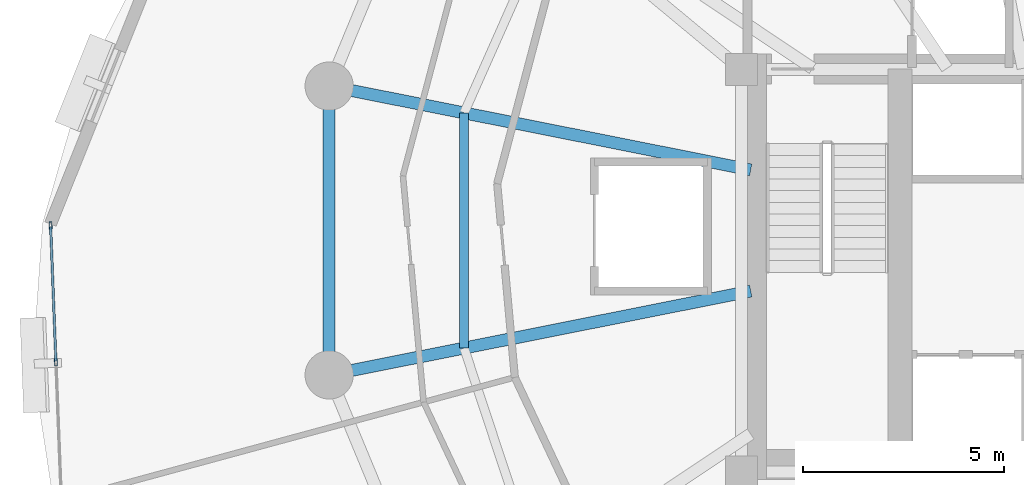
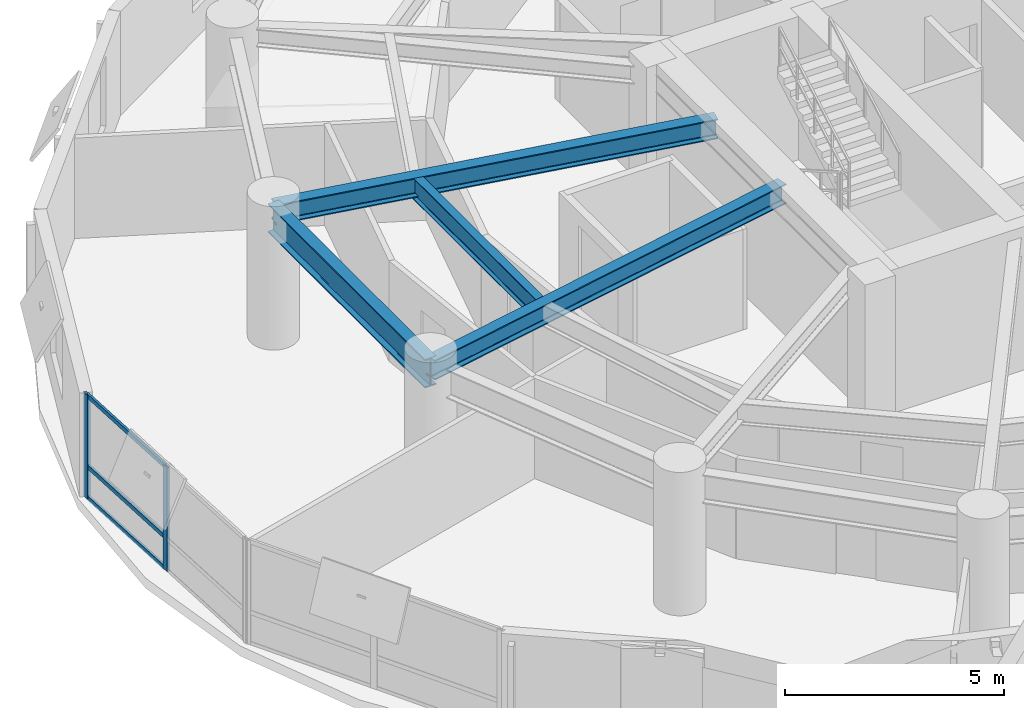
# One storey, part 4 of 15: 5 members, 4 beams, 1 element without a shape of its own.
"""IFC4 building model written with IfcOpenShell, lengths in metres."""

from ifc_helpers import new_model, si_unit, direction, frame, origin, origin_2d, place, context, subcontext, project, spatial, hollow_rectangle, i_section, extrude, material, layer, layer_set, material_profile, profile_set, type_object, element, aggregate, save


model = new_model("IFC4")

# Units and contexts
model_context = context("Model", 3, precision=1e-05, world=origin(), true_north=direction((0.0, 1.0)))
body_context = subcontext(model_context, "Body", "Model", "MODEL_VIEW")
ifc_project = project(units=[si_unit("LENGTHUNIT", "METRE"), si_unit("AREAUNIT", "SQUARE_METRE"), si_unit("VOLUMEUNIT", "CUBIC_METRE"), si_unit("PLANEANGLEUNIT", "RADIAN"), si_unit("MASSUNIT", "GRAM", prefix="KILO"), si_unit("THERMODYNAMICTEMPERATUREUNIT", "KELVIN"), si_unit("POWERUNIT", "WATT")], contexts=[model_context])

# Site, building, storey
site_placement = place(None, origin())
site = spatial("IfcSite", under=ifc_project, at=site_placement, CompositionType="ELEMENT")
building_placement = place(site_placement, origin())
building = spatial("IfcBuilding", under=site, at=building_placement, Name="Ocrelia Relay Tower", CompositionType="ELEMENT")
storey_placement = place(building_placement, frame((0.0, 0.0, 97.800048828125)))
storey = spatial("IfcBuildingStorey", under=building, at=storey_placement, Name="L22", CompositionType="ELEMENT", Elevation=97.800048828125)

# Beams
ifc_material_1 = material(Name="Steel S355", Category="steel")
ifc_material_profile_1 = material_profile(ifc_material_1, i_section(OverallWidth=0.300048828125, OverallDepth=0.550048828125, WebThickness=0.014892578125, FlangeThickness=0.029052734375, FilletRadius=0.027099609375, at=origin_2d()), Name="HEB 550")
ifc_profile_set_1 = profile_set([ifc_material_profile_1], Name="Steel S355")
beam_type_1 = type_object("IfcBeamType", Name="BM-HEB550", PredefinedType="BEAM", material=ifc_profile_set_1)
for number, where, z_axis, x_axis, name in (
    (1, (15.95361328125, 29.589599609375, 3.445068359375), (0.980787592082, -0.195078700063, 0.0), (0.195078700063, 0.980787592082, 0.0), "L22 Radial Floor Girder R08"),
    (2, (15.95361328125, 22.410400390625, 3.445068359375), (0.980787592082, 0.195078700063, 0.0), (-0.195078700063, 0.980787592082, 0.0), "L22 Radial Floor Girder R09"),
):
    element("IfcBeam", number, at=place(storey_placement, frame(where, z_axis=z_axis, x_axis=x_axis)), inside=storey, type_object=beam_type_1, Name=name, PredefinedType="BEAM", context=body_context, shape_type="SweptSolid", body=[
        extrude(i_section(OverallWidth=0.300048828125, OverallDepth=0.550048828125, WebThickness=0.014892578125, FlangeThickness=0.029052734375, FilletRadius=0.027099609375, at=origin_2d()), origin(), (0.0, 0.0, 1.0), 10.681640625),
    ])
ifc_material_profile_2 = material_profile(ifc_material_1, i_section(OverallWidth=0.300048828125, OverallDepth=0.800048828125, WebThickness=0.017578125, FlangeThickness=0.032958984375, FilletRadius=0.030029296875, at=origin_2d()), Name="HEB 800")
ifc_profile_set_2 = profile_set([ifc_material_profile_2], Name="Steel S355")
beam_type_2 = type_object("IfcBeamType", Name="BM-HEB800", PredefinedType="BEAM", material=ifc_profile_set_2)
beam_1_placement = place(storey_placement, frame((15.95361328125, 29.589599609375, 3.320068359375), z_axis=(0.0, -1.0, 0.0), x_axis=(1.0, 0.0, 0.0)))
element("IfcBeam", 3, at=beam_1_placement, inside=storey, type_object=beam_type_2, Name="L22 Perimeter Spandrel Beam S08", PredefinedType="BEAM", context=body_context, shape_type="SweptSolid", body=[
    extrude(i_section(OverallWidth=0.300048828125, OverallDepth=0.800048828125, WebThickness=0.017578125, FlangeThickness=0.032958984375, FilletRadius=0.030029296875, at=origin_2d()), origin(), (0.0, 0.0, 1.0), 7.17919921875),
])
ifc_material_profile_3 = material_profile(ifc_material_1, i_section(OverallWidth=0.219970703125, OverallDepth=0.60009765625, WebThickness=0.011962890625, FlangeThickness=0.01904296875, FilletRadius=0.02392578125, at=origin_2d()), Name="IPE 600")
ifc_profile_set_3 = profile_set([ifc_material_profile_3], Name="Steel S355")
beam_type_3 = type_object("IfcBeamType", Name="BM-IPE600", PredefinedType="JOIST", material=ifc_profile_set_3)
beam_2_placement = place(storey_placement, frame((19.305908203125, 28.9228515625, 3.419921875), z_axis=(0.0, -1.0, 0.0), x_axis=(1.0, 0.0, 0.0)))
element("IfcBeam", 4, at=beam_2_placement, inside=storey, type_object=beam_type_3, Name="L22 Secondary Floor Joist J08", PredefinedType="JOIST", context=body_context, shape_type="SweptSolid", body=[
    extrude(i_section(OverallWidth=0.219970703125, OverallDepth=0.60009765625, WebThickness=0.011962890625, FlangeThickness=0.01904296875, FilletRadius=0.02392578125, at=origin_2d()), origin(), (0.0, 0.0, 1.0), 5.845703125),
])

# Curtain wall, members
ifc_material_2 = material(Name="Aluminium and solar-control low-E glass", Category="aluminium")
ifc_layer = layer(ifc_material_2, 0.179931640625, Name="Aluminium and solar-control low-E glass")
ifc_layer_set = layer_set([ifc_layer], Name="Aluminium and solar-control low-E glass")
curtain_wall_type = type_object("IfcCurtainWallType", Name="CW-SYS-Z2-SWIT", PredefinedType="NOTDEFINED", material=ifc_layer_set)
curtain_wall_placement = place(storey_placement, origin())
curtain_wall = element("IfcCurtainWall", 5, at=curtain_wall_placement, inside=storey, type_object=curtain_wall_type, Name="L22 Elliptical Tower Curtain Wall Bay 09", PredefinedType="NOTDEFINED")
ifc_material_3 = material(Name="Anodised bronze aluminium", Category="aluminium")
ifc_material_profile_4 = material_profile(ifc_material_3, hollow_rectangle(XDim=0.070068359375, YDim=0.179931640625, WallThickness=0.006103515625, at=origin_2d()), Name="CW-MUL-180x70")
ifc_profile_set_4 = profile_set([ifc_material_profile_4], Name="Anodised bronze aluminium")
member_type_1 = type_object("IfcMemberType", Name="CW-SYS-Z2-SWIT-MUL", PredefinedType="MULLION", material=ifc_profile_set_4)
member_1_placement = place(storey_placement, frame((9.029052734375, 26.126708984375, 0.0), z_axis=(0.0, 0.0, 1.0), x_axis=(0.999241940463, 0.038929993842, 0.0)))
member_1 = element("IfcMember", 6, at=member_1_placement, type_object=member_type_1, Name="CW-Z2 mullion 1", PredefinedType="MULLION", context=body_context, shape_type="SweptSolid", body=[
    extrude(hollow_rectangle(XDim=0.070068359375, YDim=0.179931640625, WallThickness=0.006103515625, at=origin_2d()), origin(), (0.0, 0.0, 1.0), 2.89990234375),
])
member_2_placement = place(storey_placement, frame((9.16162109375, 22.724853515625, 0.0), z_axis=(0.0, 0.0, 1.0), x_axis=(0.999241940463, 0.038929993842, 0.0)))
member_2 = element("IfcMember", 7, at=member_2_placement, type_object=member_type_1, Name="CW-Z2 mullion 2", PredefinedType="MULLION", context=body_context, shape_type="SweptSolid", body=[
    extrude(hollow_rectangle(XDim=0.070068359375, YDim=0.179931640625, WallThickness=0.006103515625, at=origin_2d()), origin(), (0.0, 0.0, 1.0), 2.89990234375),
])
ifc_material_profile_5 = material_profile(ifc_material_3, hollow_rectangle(XDim=0.06005859375, YDim=0.1201171875, WallThickness=0.0048828125, at=origin_2d()), Name="CW-TRN-120x60")
ifc_profile_set_5 = profile_set([ifc_material_profile_5], Name="Anodised bronze aluminium")
member_type_2 = type_object("IfcMemberType", Name="CW-SYS-Z2-SWIT-TRN", PredefinedType="USERDEFINED", material=ifc_profile_set_5)
member_3_placement = place(storey_placement, frame((9.030517578125, 26.091796875, 0.030029296875), z_axis=(0.038950489991, -0.999241141732, 0.0), x_axis=(0.999241141732, 0.038950489991, 0.0)))
member_3 = element("IfcMember", 8, at=member_3_placement, type_object=member_type_2, Name="CW-Z2 transom 1.1", ObjectType="TRANSOM", PredefinedType="USERDEFINED", context=body_context, shape_type="SweptSolid", body=[
    extrude(hollow_rectangle(XDim=0.06005859375, YDim=0.1201171875, WallThickness=0.0048828125, at=origin_2d()), origin(), (0.0, 0.0, 1.0), 3.33447265625),
])
member_4_placement = place(storey_placement, frame((9.030517578125, 26.091796875, 0.89990234375), z_axis=(0.038950489991, -0.999241141732, 0.0), x_axis=(0.999241141732, 0.038950489991, 0.0)))
member_4 = element("IfcMember", 9, at=member_4_placement, type_object=member_type_2, Name="CW-Z2 transom 1.2", ObjectType="TRANSOM", PredefinedType="USERDEFINED", context=body_context, shape_type="SweptSolid", body=[
    extrude(hollow_rectangle(XDim=0.06005859375, YDim=0.1201171875, WallThickness=0.0048828125, at=origin_2d()), origin(), (0.0, 0.0, 1.0), 3.33447265625),
])
member_5_placement = place(storey_placement, frame((9.030517578125, 26.091796875, 2.869873046875), z_axis=(0.038950489991, -0.999241141732, 0.0), x_axis=(0.999241141732, 0.038950489991, 0.0)))
member_5 = element("IfcMember", 10, at=member_5_placement, type_object=member_type_2, Name="CW-Z2 transom 1.3", ObjectType="TRANSOM", PredefinedType="USERDEFINED", context=body_context, shape_type="SweptSolid", body=[
    extrude(hollow_rectangle(XDim=0.06005859375, YDim=0.1201171875, WallThickness=0.0048828125, at=origin_2d()), origin(), (0.0, 0.0, 1.0), 3.33447265625),
])
aggregate(curtain_wall, [member_1, member_2, member_3, member_4, member_5])

save(model, "model.ifc")
